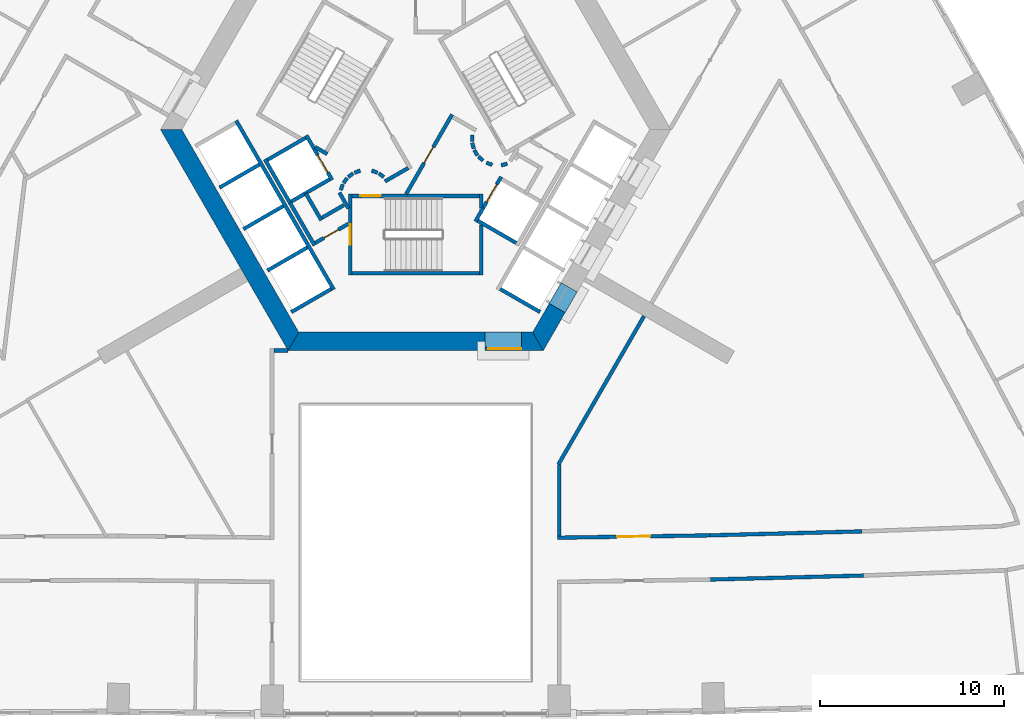
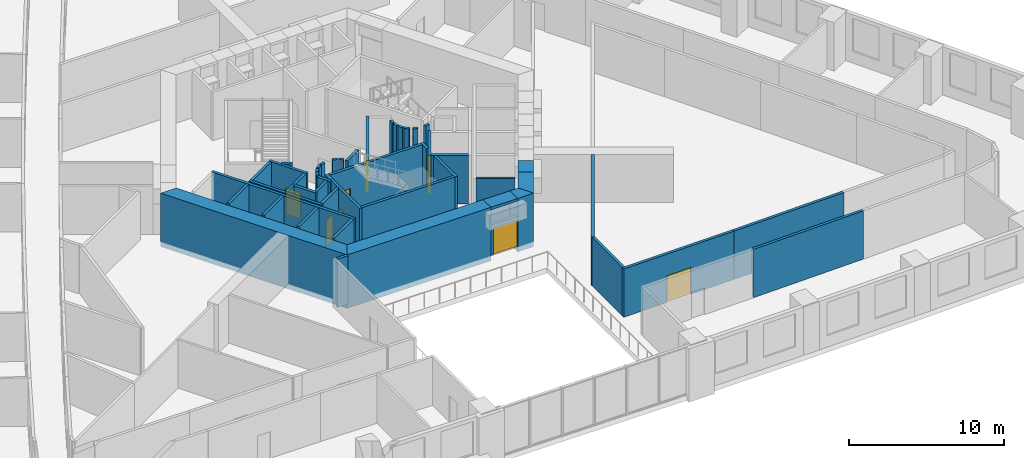
# One storey, part 6 of 16: 50 walls, 8 doors, 8 openings.
"""IFC4 building model written with IfcOpenShell, lengths in metres."""

from ifc_helpers import new_model, si_unit, direction, frame, frame_2d, origin, place, context, subcontext, project, spatial, polyline, rectangle, outline, extrude, material, layer, layer_set, type_object, element, fill, save


model = new_model("IFC4")

# Units and contexts
model_context = context("Model", 3, precision=1e-05, world=origin(), true_north=direction((0.0, 1.0)))
body_context = subcontext(model_context, "Body", "Model", "MODEL_VIEW")
ifc_project = project(units=[si_unit("LENGTHUNIT", "METRE"), si_unit("AREAUNIT", "SQUARE_METRE"), si_unit("VOLUMEUNIT", "CUBIC_METRE"), si_unit("PLANEANGLEUNIT", "RADIAN"), si_unit("MASSUNIT", "GRAM", prefix="KILO")], contexts=[model_context])

# Site, building, storey
site_placement = place(None, origin())
site = spatial("IfcSite", under=ifc_project, at=site_placement, CompositionType="ELEMENT")
building_placement = place(site_placement, origin())
building = spatial("IfcBuilding", under=site, at=building_placement, Name="Entoto Arch Interchange Tower", CompositionType="ELEMENT")
storey_placement = place(building_placement, frame((0.0, 0.0, 68.60009765625)))
storey = spatial("IfcBuildingStorey", under=building, at=storey_placement, Name="L14", CompositionType="ELEMENT", Elevation=68.60009765625)

# Wall, opening, door
ifc_material_1 = material(Name="Reinforced concrete C40/50", Category="concrete")
ifc_layer_1 = layer(ifc_material_1, 0.199951171875)
ifc_layer_set_1 = layer_set([ifc_layer_1], Name="Reinforced concrete C40/50")
wall_type_1 = type_object("IfcWallType", Name="CORE GAP INFILL WALL", PredefinedType="PARTITIONING", material=ifc_layer_set_1)
wall_1_placement = place(storey_placement, frame((3.75, -9.39990234375, 0.0), z_axis=(0.0, 0.0, 1.0), x_axis=(1.0, 0.0, 0.0)))
wall_1 = element("IfcWall", 1, at=wall_1_placement, inside=storey, type_object=wall_type_1, Name="wall:L14:gap1", PredefinedType="PARTITIONING", context=body_context, shape_type="SweptSolid", body=[
    extrude(rectangle(XDim=2.0, YDim=0.199951171875, at=frame_2d((1.0, 0.0))), origin(), (0.0, 0.0, 1.0), 2.39990234375),
])
opening_1_placement = place(wall_1_placement, frame((0.18994140625, 0.0, 0.0)))
opening_1 = element("IfcOpeningElement", 2, at=opening_1_placement, cuts=wall_1, Name="Opening L14-D91", PredefinedType="OPENING", context=body_context, shape_type="SweptSolid", body=[
    extrude(rectangle(XDim=1.800048828125, YDim=2.10009765625, at=frame_2d((0.89990234375, 1.050048828125))), frame((0.0, 0.10986328125, 0.0), z_axis=(0.0, -1.0, 0.0), x_axis=(1.0, 0.0, 0.0)), (0.0, 0.0, 1.0), 0.219970703125),
])
ifc_material_2 = material(Name="Fire-rated Steel S235 door and frame", Category="steel")
door_type_1 = type_object("IfcDoorType", Name="DOOR FD-18 1800x2100", OperationType="DOUBLE_DOOR_SINGLE_SWING", PredefinedType="DOOR", material=ifc_material_2)
door_1_placement = place(opening_1_placement, origin())
door_1 = element("IfcDoor", 3, at=door_1_placement, inside=storey, type_object=door_type_1, Name="door:L14:gap1", OperationType="DOUBLE_DOOR_SINGLE_SWING", OverallHeight=2.10009765625, OverallWidth=1.800048828125, PredefinedType="DOOR", context=body_context, shape_type="SweptSolid", body=[
    extrude(rectangle(XDim=1.800048828125, YDim=2.10009765625, at=frame_2d((0.89990234375, 1.050048828125))), frame((0.0, 0.02490234375, 0.0), z_axis=(0.0, -1.0, 0.0), x_axis=(1.0, 0.0, 0.0)), (0.0, 0.0, 1.0), 0.050048828125),
])
fill(opening_1, door_1)

# Walls
ifc_material_3 = material(Name="Concrete C60/75", Category="concrete")
ifc_layer_2 = layer(ifc_material_3, 1.0)
ifc_layer_set_2 = layer_set([ifc_layer_2], Name="Concrete C60/75")
wall_type_2 = type_object("IfcWallType", Name="Core wall 1000 C60/75", PredefinedType="SHEAR", material=ifc_layer_set_2)
wall_2_placement = place(storey_placement, frame((0.0, 0.0, -0.400146484375)))
element("IfcWall", 4, at=wall_2_placement, inside=storey, type_object=wall_type_2, Name="Core wall SW L14", PredefinedType="SHEAR", context=body_context, shape_type="SweptSolid", body=[
    extrude(outline(polyline([(-13.85595703125, 2.5), (-6.927978515625, -9.5), (-6.35107421875, -8.5), (-12.701904296875, 2.5), (-13.85595703125, 2.5)])), origin(), (0.0, 0.0, 1.0), 4.199951171875),
])
wall_3_placement = place(storey_placement, frame((0.0, 0.0, -0.400146484375)))
element("IfcWall", 5, at=wall_3_placement, inside=storey, type_object=wall_type_2, Name="Core wall S L14", PredefinedType="SHEAR", context=body_context, shape_type="SweptSolid", body=[
    extrude(outline(polyline([(3.75, -9.5), (3.75, -8.5), (-6.35107421875, -8.5), (-6.927978515625, -9.5), (3.75, -9.5)])), origin(), (0.0, 0.0, 1.0), 4.199951171875),
])
wall_4_placement = place(storey_placement, frame((0.0, 0.0, -0.400146484375)))
element("IfcWall", 6, at=wall_4_placement, inside=storey, type_object=wall_type_2, Name="Core wall S L14", PredefinedType="SHEAR", context=body_context, shape_type="SweptSolid", body=[
    extrude(outline(polyline([(5.75, -8.5), (5.75, -9.5), (6.927978515625, -9.5), (6.35107421875, -8.5), (5.75, -8.5)])), origin(), (0.0, 0.0, 1.0), 4.199951171875),
])
wall_5_placement = place(storey_placement, frame((0.0, 0.0, 3.599853515625)))
element("IfcWall", 7, at=wall_5_placement, inside=storey, type_object=wall_type_2, Name="Core wall lintel S L14", PredefinedType="SHEAR", context=body_context, shape_type="SweptSolid", body=[
    extrude(outline(polyline([(5.75, -9.5), (5.75, -8.5), (3.75, -8.5), (3.75, -9.5), (5.75, -9.5)])), origin(), (0.0, 0.0, 1.0), 0.199951171875),
])
wall_6_placement = place(storey_placement, frame((0.0, 0.0, -0.400146484375)))
element("IfcWall", 8, at=wall_6_placement, inside=storey, type_object=wall_type_2, Name="Core wall SE L14", PredefinedType="SHEAR", context=body_context, shape_type="SweptSolid", body=[
    extrude(outline(polyline([(8.116943359375, -7.43994140625), (7.251953125, -6.93994140625), (6.35107421875, -8.5), (6.927978515625, -9.5), (8.116943359375, -7.43994140625)])), origin(), (0.0, 0.0, 1.0), 4.199951171875),
])
wall_7_placement = place(storey_placement, frame((0.0, 0.0, 3.599853515625)))
element("IfcWall", 9, at=wall_7_placement, inside=storey, type_object=wall_type_2, Name="Core wall lintel SE L14", PredefinedType="SHEAR", context=body_context, shape_type="SweptSolid", body=[
    extrude(outline(polyline([(8.76708984375, -6.31396484375), (7.902099609375, -5.81396484375), (7.251953125, -6.93994140625), (8.116943359375, -7.43994140625), (8.76708984375, -6.31396484375)])), origin(), (0.0, 0.0, 1.0), 0.199951171875),
])

# Wall, opening, door
ifc_material_4 = material(Name="Concrete C40/50", Category="concrete")
ifc_layer_3 = layer(ifc_material_4, 0.199951171875)
ifc_layer_set_3 = layer_set([ifc_layer_3], Name="Concrete C40/50")
wall_type_3 = type_object("IfcWallType", Name="LIFT SHAFT WALL 200", PredefinedType="STANDARD", material=ifc_layer_set_3)
wall_8_placement = place(storey_placement, frame((-5.93994140625, 2.18798828125, 0.0), z_axis=(0.0, 0.0, 1.0), x_axis=(0.49994636267, -0.866056369097, 0.0)))
wall_8 = element("IfcWall", 10, at=wall_8_placement, inside=storey, type_object=wall_type_3, Name="Shaft wall SW1 front", PredefinedType="STANDARD", context=body_context, shape_type="SweptSolid", body=[
    extrude(rectangle(XDim=2.800048828125, YDim=0.199951171875, at=frame_2d((1.39990234375, 0.0))), origin(), (0.0, 0.0, 1.0), 3.7998046875),
])
opening_2_placement = place(wall_8_placement, frame((1.22509765625, 0.0, 0.0)))
opening_2 = element("IfcOpeningElement", 11, at=opening_2_placement, cuts=wall_8, Name="Opening LD-FF2-L14", PredefinedType="OPENING", context=body_context, shape_type="SweptSolid", body=[
    extrude(rectangle(XDim=1.10009765625, YDim=2.10009765625, at=frame_2d((0.550048828125, 1.050048828125))), frame((0.0, 0.10986328125, 0.0), z_axis=(0.0, -1.0, 0.0), x_axis=(1.0, 0.0, 0.0)), (0.0, 0.0, 1.0), 0.219970703125),
])
ifc_material_5 = material(Name="Stainless steel 1.4301 panels", Category="steel")
door_type_2 = type_object("IfcDoorType", Name="LIFT LANDING DOOR LD1 1100x2100", OperationType="SLIDING_TO_LEFT", PredefinedType="DOOR", material=ifc_material_5)
door_2_placement = place(opening_2_placement, origin())
door_2 = element("IfcDoor", 12, at=door_2_placement, inside=storey, type_object=door_type_2, Name="Lift landing door FF2 L14", OperationType="SLIDING_TO_LEFT", OverallHeight=2.10009765625, OverallWidth=1.10009765625, PredefinedType="DOOR", context=body_context, shape_type="SweptSolid", body=[
    extrude(rectangle(XDim=1.10009765625, YDim=2.10009765625, at=frame_2d((0.550048828125, 1.050048828125))), frame((0.0, 0.02490234375, 0.0), z_axis=(0.0, -1.0, 0.0), x_axis=(1.0, 0.0, 0.0)), (0.0, 0.0, 1.0), 0.050048828125),
])
fill(opening_2, door_2)

# Walls
wall_9_placement = place(storey_placement, frame((-8.19189453125, 0.887939453125, 0.0), z_axis=(0.0, 0.0, 1.0), x_axis=(0.49994636267, -0.866056369097, 0.0)))
element("IfcWall", 13, at=wall_9_placement, inside=storey, type_object=wall_type_3, Name="Shaft wall SW1 back", PredefinedType="STANDARD", context=body_context, shape_type="SweptSolid", body=[
    extrude(rectangle(XDim=2.800048828125, YDim=0.199951171875, at=frame_2d((1.39990234375, 0.0))), origin(), (0.0, 0.0, 1.0), 3.7998046875),
])
for number, where, z_axis, x_axis, name in (
    (14, (-5.97705078125, 2.052001953125, 0.0), (0.0, 0.0, 1.0), (-0.865973769406, -0.500089422704, 0.0), "Shaft wall SW1 cross 1"),
    (15, (-4.677001953125, -0.199951171875, 0.0), (0.0, 0.0, 1.0), (-0.865973769406, -0.500089422704, 0.0), "Shaft wall SW1 cross 2"),
):
    element("IfcWall", number, at=place(storey_placement, frame(where, z_axis=z_axis, x_axis=x_axis)), inside=storey, type_object=wall_type_3, Name=name, PredefinedType="STANDARD", context=body_context, shape_type="SweptSolid", body=[
        extrude(rectangle(XDim=2.3994140625, YDim=0.199951171875, at=frame_2d((1.19970703125, 0.0))), origin(), (0.0, 0.0, 1.0), 3.7998046875),
    ])
wall_10_placement = place(storey_placement, frame((-9.7509765625, 2.989990234375, 0.0), z_axis=(0.0, 0.0, 1.0), x_axis=(0.50000090737, -0.866024879913, 0.0)))
element("IfcWall", 16, at=wall_10_placement, inside=storey, type_object=wall_type_3, Name="Shaft wall SW3 front", PredefinedType="STANDARD", context=body_context, shape_type="SweptSolid", body=[
    extrude(rectangle(XDim=10.60009765625, YDim=0.199951171875, at=frame_2d((5.300048828125, 0.0))), origin(), (0.0, 0.0, 1.0), 3.7998046875),
])
for number, where, z_axis, x_axis, name in (
    (17, (-8.488037109375, 0.60205078125, 0.0), (0.0, 0.0, 1.0), (-0.866022959057, -0.500004234368, 0.0), "Shaft wall SW3 cross 2"),
    (18, (-7.18798828125, -1.64990234375, 0.0), (0.0, 0.0, 1.0), (-0.866022959057, -0.500004234368, 0.0), "Shaft wall SW3 cross 3"),
    (19, (-5.887939453125, -3.902099609375, 0.0), (0.0, 0.0, 1.0), (-0.866022959057, -0.500004234368, 0.0), "Shaft wall SW3 cross 4"),
    (20, (-4.587890625, -6.153076171875, 0.0), (0.0, 0.0, 1.0), (-0.866022959057, -0.500004234368, 0.0), "Shaft wall SW3 cross 5"),
):
    element("IfcWall", number, at=place(storey_placement, frame(where, z_axis=z_axis, x_axis=x_axis)), inside=storey, type_object=wall_type_3, Name=name, PredefinedType="STANDARD", context=body_context, shape_type="SweptSolid", body=[
        extrude(rectangle(XDim=2.5, YDim=0.199951171875, at=frame_2d((1.25, 0.0))), origin(), (0.0, 0.0, 1.0), 3.7998046875),
    ])

# Wall, opening, door
wall_11_placement = place(storey_placement, frame((3.239990234375, -2.488037109375, 0.0), z_axis=(0.0, 0.0, 1.0), x_axis=(0.49994636267, 0.866056369097, 0.0)))
wall_11 = element("IfcWall", 21, at=wall_11_placement, inside=storey, type_object=wall_type_3, Name="Shaft wall SE1 front", PredefinedType="STANDARD", context=body_context, shape_type="SweptSolid", body=[
    extrude(rectangle(XDim=2.800048828125, YDim=0.199951171875, at=frame_2d((1.39990234375, 0.0))), origin(), (0.0, 0.0, 1.0), 3.7998046875),
])
opening_3_placement = place(wall_11_placement, frame((1.22509765625, 0.0, 0.0)))
opening_3 = element("IfcOpeningElement", 22, at=opening_3_placement, cuts=wall_11, Name="Opening LD-FF1-L14", PredefinedType="OPENING", context=body_context, shape_type="SweptSolid", body=[
    extrude(rectangle(XDim=1.10009765625, YDim=2.10009765625, at=frame_2d((0.550048828125, 1.050048828125))), frame((0.0, 0.10986328125, 0.0), z_axis=(0.0, -1.0, 0.0), x_axis=(1.0, 0.0, 0.0)), (0.0, 0.0, 1.0), 0.219970703125),
])
door_3_placement = place(opening_3_placement, origin())
door_3 = element("IfcDoor", 23, at=door_3_placement, inside=storey, type_object=door_type_2, Name="Lift landing door FF1 L14", OperationType="SLIDING_TO_LEFT", OverallHeight=2.10009765625, OverallWidth=1.10009765625, PredefinedType="DOOR", context=body_context, shape_type="SweptSolid", body=[
    extrude(rectangle(XDim=1.10009765625, YDim=2.10009765625, at=frame_2d((0.550048828125, 1.050048828125))), frame((0.0, 0.02490234375, 0.0), z_axis=(0.0, -1.0, 0.0), x_axis=(1.0, 0.0, 0.0)), (0.0, 0.0, 1.0), 0.050048828125),
])
fill(opening_3, door_3)

# Walls
wall_12_placement = place(storey_placement, frame((3.376953125, -2.451904296875, 0.0), z_axis=(0.0, 0.0, 1.0), x_axis=(0.865955154139, -0.50012165622, 0.0)))
element("IfcWall", 24, at=wall_12_placement, inside=storey, type_object=wall_type_3, Name="Shaft wall SE1 cross 1", PredefinedType="STANDARD", context=body_context, shape_type="SweptSolid", body=[
    extrude(rectangle(XDim=2.39990234375, YDim=0.199951171875, at=frame_2d((1.199951171875, 0.0))), origin(), (0.0, 0.0, 1.0), 3.7998046875),
])
wall_13_placement = place(storey_placement, frame((4.587890625, -6.153076171875, 0.0), z_axis=(0.0, 0.0, 1.0), x_axis=(0.866022959057, -0.500004234368, 0.0)))
element("IfcWall", 25, at=wall_13_placement, inside=storey, type_object=wall_type_3, Name="Shaft wall SE3 cross 1", PredefinedType="STANDARD", context=body_context, shape_type="SweptSolid", body=[
    extrude(rectangle(XDim=2.5, YDim=0.199951171875, at=frame_2d((1.25, 0.0))), origin(), (0.0, 0.0, 1.0), 3.7998046875),
])

# Wall, opening, door
ifc_material_6 = material(Name="Gypsum board partition on steel studs", Category="steel")
ifc_layer_4 = layer(ifc_material_6, 0.199951171875)
ifc_layer_set_4 = layer_set([ifc_layer_4], Name="Gypsum board partition on steel studs")
wall_type_4 = type_object("IfcWallType", Name="PARTITION 200", PredefinedType="PARTITIONING", material=ifc_layer_set_4)
wall_14_placement = place(storey_placement, frame((7.699951171875, -19.660888671875, 0.0), z_axis=(0.0, 0.0, 1.0), x_axis=(0.999882138464, 0.015352823245, 0.0)))
wall_14 = element("IfcWall", 26, at=wall_14_placement, inside=storey, type_object=wall_type_4, Name="wall:L14:p018", PredefinedType="PARTITIONING", context=body_context, shape_type="SweptSolid", body=[
    extrude(rectangle(XDim=8.26904296875, YDim=0.199951171875, at=frame_2d((4.134521484375, 0.0))), origin(), (0.0, 0.0, 1.0), 3.7998046875),
])
opening_4_placement = place(wall_14_placement, frame((3.235107421875, 0.0, 0.0)))
opening_4 = element("IfcOpeningElement", 27, at=opening_4_placement, cuts=wall_14, Name="Opening L14-D19", PredefinedType="OPENING", context=body_context, shape_type="SweptSolid", body=[
    extrude(rectangle(XDim=1.800048828125, YDim=2.10009765625, at=frame_2d((0.89990234375, 1.050048828125))), frame((0.0, 0.10986328125, 0.0), z_axis=(0.0, -1.0, 0.0), x_axis=(1.0, 0.0, 0.0)), (0.0, 0.0, 1.0), 0.219970703125),
])
ifc_material_7 = material(Name="Timber door leaf in Steel S235 frame", Category="steel")
door_type_3 = type_object("IfcDoorType", Name="DOOR DD-18 1800x2100", OperationType="DOUBLE_DOOR_SINGLE_SWING", PredefinedType="DOOR", material=ifc_material_7)
door_4_placement = place(opening_4_placement, origin())
door_4 = element("IfcDoor", 28, at=door_4_placement, inside=storey, type_object=door_type_3, Name="door:L14:19", OperationType="DOUBLE_DOOR_SINGLE_SWING", OverallHeight=2.10009765625, OverallWidth=1.800048828125, PredefinedType="DOOR", context=body_context, shape_type="SweptSolid", body=[
    extrude(rectangle(XDim=1.800048828125, YDim=2.10009765625, at=frame_2d((0.89990234375, 1.050048828125))), frame((0.0, 0.02490234375, 0.0), z_axis=(0.0, -1.0, 0.0), x_axis=(1.0, 0.0, 0.0)), (0.0, 0.0, 1.0), 0.050048828125),
])
fill(opening_4, door_4)

# Walls
wall_15_placement = place(storey_placement, frame((15.968017578125, -19.533935546875, 0.0), z_axis=(0.0, 0.0, 1.0), x_axis=(0.999659413518, 0.026097068146, 0.0)))
element("IfcWall", 29, at=wall_15_placement, inside=storey, type_object=wall_type_4, Name="wall:L14:p019", PredefinedType="PARTITIONING", context=body_context, shape_type="SweptSolid", body=[
    extrude(rectangle(XDim=8.27001953125, YDim=0.199951171875, at=frame_2d((4.135009765625, 0.0))), origin(), (0.0, 0.0, 1.0), 3.7998046875),
])
wall_16_placement = place(storey_placement, frame((24.31005859375, -21.716064453125, 0.0), z_axis=(0.0, 0.0, 1.0), x_axis=(-0.999657616542, -0.02616581148, 0.0)))
element("IfcWall", 30, at=wall_16_placement, inside=storey, type_object=wall_type_4, Name="wall:L14:p044", PredefinedType="PARTITIONING", context=body_context, shape_type="SweptSolid", body=[
    extrude(rectangle(XDim=8.294921875, YDim=0.199951171875, at=frame_2d((4.1474609375, 0.0))), origin(), (0.0, 0.0, 1.0), 3.7998046875),
])
wall_17_placement = place(storey_placement, frame((-3.89990234375, -1.59912109375, 0.0), z_axis=(0.0, 0.0, 1.0), x_axis=(-0.865969445389, -0.500096910261, 0.0)))
element("IfcWall", 31, at=wall_17_placement, inside=storey, type_object=wall_type_4, Name="wall:L14:p092", PredefinedType="PARTITIONING", context=body_context, shape_type="SweptSolid", body=[
    extrude(rectangle(XDim=1.373291015625, YDim=0.199951171875, at=frame_2d((0.6865234375, 0.0))), origin(), (0.0, 0.0, 1.0), 3.7998046875),
])
wall_18_placement = place(storey_placement, frame((-5.1259765625, -2.422119140625, 0.0), z_axis=(0.0, 0.0, 1.0), x_axis=(-0.500062241894, 0.865989465428, 0.0)))
element("IfcWall", 32, at=wall_18_placement, inside=storey, type_object=wall_type_4, Name="wall:L14:p093", PredefinedType="PARTITIONING", context=body_context, shape_type="SweptSolid", body=[
    extrude(rectangle(XDim=1.699951171875, YDim=0.199951171875, at=frame_2d((0.85009765625, 0.0))), origin(), (0.0, 0.0, 1.0), 3.7998046875),
])

# Wall, opening, door
wall_19_placement = place(storey_placement, frame((-3.64990234375, -2.610107421875, 0.0), z_axis=(0.0, 0.0, 1.0), x_axis=(-0.866072462134, -0.499918483688, 0.0)))
wall_19 = element("IfcWall", 33, at=wall_19_placement, inside=storey, type_object=wall_type_4, Name="wall:L14:p094", PredefinedType="PARTITIONING", context=body_context, shape_type="SweptSolid", body=[
    extrude(rectangle(XDim=2.084228515625, YDim=0.199951171875, at=frame_2d((1.0419921875, 0.0))), origin(), (0.0, 0.0, 1.0), 3.7998046875),
])
opening_5_placement = place(wall_19_placement, frame((0.64208984375, 0.0, 0.0)))
opening_5 = element("IfcOpeningElement", 34, at=opening_5_placement, cuts=wall_19, Name="Opening L14-D34", PredefinedType="OPENING", context=body_context, shape_type="SweptSolid", body=[
    extrude(rectangle(XDim=0.89990234375, YDim=2.10009765625, at=frame_2d((0.449951171875, 1.050048828125))), frame((0.0, 0.10986328125, 0.0), z_axis=(0.0, -1.0, 0.0), x_axis=(1.0, 0.0, 0.0)), (0.0, 0.0, 1.0), 0.219970703125),
])
door_type_4 = type_object("IfcDoorType", Name="DOOR DS-09 900x2100", OperationType="SINGLE_SWING_LEFT", PredefinedType="DOOR", material=ifc_material_7)
door_5_placement = place(opening_5_placement, origin())
door_5 = element("IfcDoor", 35, at=door_5_placement, inside=storey, type_object=door_type_4, Name="door:L14:34", OperationType="SINGLE_SWING_LEFT", OverallHeight=2.10009765625, OverallWidth=0.89990234375, PredefinedType="DOOR", context=body_context, shape_type="SweptSolid", body=[
    extrude(rectangle(XDim=0.89990234375, YDim=2.10009765625, at=frame_2d((0.449951171875, 1.050048828125))), frame((0.0, 0.02490234375, 0.0), z_axis=(0.0, -1.0, 0.0), x_axis=(1.0, 0.0, 0.0)), (0.0, 0.0, 1.0), 0.050048828125),
])
fill(opening_5, door_5)

# Walls
wall_20_placement = place(storey_placement, frame((-5.491943359375, -3.7880859375, 0.0), z_axis=(0.0, 0.0, 1.0), x_axis=(-0.500008949224, 0.866020236886, 0.0)))
element("IfcWall", 36, at=wall_20_placement, inside=storey, type_object=wall_type_4, Name="wall:L14:p095", PredefinedType="PARTITIONING", context=body_context, shape_type="SweptSolid", body=[
    extrude(rectangle(XDim=2.68017578125, YDim=0.199951171875, at=frame_2d((1.340087890625, 0.0))), origin(), (0.0, 0.0, 1.0), 3.7998046875),
])
wall_21_placement = place(storey_placement, frame((-4.14501953125, -0.919921875, 0.0), z_axis=(0.0, 0.0, 1.0), x_axis=(0.499743786207, -0.866173278362, 0.0)))
element("IfcWall", 37, at=wall_21_placement, inside=storey, type_object=wall_type_4, Name="wall:L14:p096", PredefinedType="PARTITIONING", context=body_context, shape_type="SweptSolid", body=[
    extrude(rectangle(XDim=0.99072265625, YDim=0.199951171875, at=frame_2d((0.495361328125, 0.0))), origin(), (0.0, 0.0, 1.0), 3.7998046875),
])

# Wall, opening, door
wall_22_placement = place(storey_placement, frame((-0.52001953125, -1.0, 0.0), z_axis=(0.0, 0.0, 1.0), x_axis=(0.50011622646, 0.865958290007, 0.0)))
wall_22 = element("IfcWall", 38, at=wall_22_placement, inside=storey, type_object=wall_type_4, Name="wall:L14:p100", PredefinedType="PARTITIONING", context=body_context, shape_type="SweptSolid", body=[
    extrude(rectangle(XDim=4.990966796875, YDim=0.199951171875, at=frame_2d((2.49560546875, 0.0))), origin(), (0.0, 0.0, 1.0), 3.7998046875),
])
opening_6_placement = place(wall_22_placement, frame((1.945068359375, 0.0, 0.0)))
opening_6 = element("IfcOpeningElement", 39, at=opening_6_placement, cuts=wall_22, Name="Opening L14-D30", PredefinedType="OPENING", context=body_context, shape_type="SweptSolid", body=[
    extrude(rectangle(XDim=1.0, YDim=2.10009765625, at=frame_2d((0.5, 1.050048828125))), frame((0.0, 0.10986328125, 0.0), z_axis=(0.0, -1.0, 0.0), x_axis=(1.0, 0.0, 0.0)), (0.0, 0.0, 1.0), 0.219970703125),
])
door_type_5 = type_object("IfcDoorType", Name="DOOR FD-10 1000x2100", OperationType="SINGLE_SWING_LEFT", PredefinedType="DOOR", material=ifc_material_2)
door_6_placement = place(opening_6_placement, origin())
door_6 = element("IfcDoor", 40, at=door_6_placement, inside=storey, type_object=door_type_5, Name="door:L14:30", OperationType="SINGLE_SWING_LEFT", OverallHeight=2.10009765625, OverallWidth=1.0, PredefinedType="DOOR", context=body_context, shape_type="SweptSolid", body=[
    extrude(rectangle(XDim=1.0, YDim=2.10009765625, at=frame_2d((0.5, 1.050048828125))), frame((0.0, 0.02490234375, 0.0), z_axis=(0.0, -1.0, 0.0), x_axis=(1.0, 0.0, 0.0)), (0.0, 0.0, 1.0), 0.050048828125),
])
fill(opening_6, door_6)

# Walls
wall_23_placement = place(storey_placement, frame((3.0791015625, 2.198974609375, 0.0), z_axis=(0.0, 0.0, 1.0), x_axis=(-0.047771483479, -0.998858290933, 0.0)))
element("IfcWall", 41, at=wall_23_placement, inside=storey, type_object=wall_type_4, Name="wall:L14:p102", PredefinedType="PARTITIONING", context=body_context, shape_type="SweptSolid", body=[
    extrude(rectangle(XDim=0.33740234375, YDim=0.199951171875, at=frame_2d((0.168701171875, 0.0))), origin(), (0.0, 0.0, 1.0), 3.7998046875),
])
wall_24_placement = place(storey_placement, frame((3.070068359375, 1.785888671875, 0.0), z_axis=(0.0, 0.0, 1.0), x_axis=(0.242705583207, -0.970099994784, 0.0)))
element("IfcWall", 42, at=wall_24_placement, inside=storey, type_object=wall_type_4, Name="wall:L14:p103", PredefinedType="PARTITIONING", context=body_context, shape_type="SweptSolid", body=[
    extrude(rectangle(XDim=0.337890625, YDim=0.199951171875, at=frame_2d((0.1689453125, 0.0))), origin(), (0.0, 0.0, 1.0), 3.7998046875),
])
for number, where, z_axis, x_axis, name in (
    (43, (3.181884765625, 1.387939453125, 0.0), (0.0, 0.0, 1.0), (0.512474702713, -0.85870232274, 0.0), "wall:L14:p104"),
    (44, (3.404052734375, 1.0390625, 0.0), (0.0, 0.0, 1.0), (0.740267097712, -0.672312891476, 0.0), "wall:L14:p105"),
):
    element("IfcWall", number, at=place(storey_placement, frame(where, z_axis=z_axis, x_axis=x_axis)), inside=storey, type_object=wall_type_4, Name=name, PredefinedType="PARTITIONING", context=body_context, shape_type="SweptSolid", body=[
        extrude(rectangle(XDim=0.337646484375, YDim=0.199951171875, at=frame_2d((0.1689453125, 0.0))), origin(), (0.0, 0.0, 1.0), 3.7998046875),
    ])
wall_25_placement = place(storey_placement, frame((3.837890625, 0.701904296875, 0.0), z_axis=(0.0, 0.0, 1.0), x_axis=(0.941035081519, -0.338308993895, 0.0)))
element("IfcWall", 45, at=wall_25_placement, inside=storey, type_object=wall_type_4, Name="wall:L14:p106", PredefinedType="PARTITIONING", context=body_context, shape_type="SweptSolid", body=[
    extrude(rectangle(XDim=0.3369140625, YDim=0.199951171875, at=frame_2d((0.16845703125, 0.0))), origin(), (0.0, 0.0, 1.0), 3.7998046875),
])
wall_26_placement = place(storey_placement, frame((4.64404296875, 0.56396484375, 0.0), z_axis=(0.0, 0.0, 1.0), x_axis=(0.969929076366, 0.243387729394, 0.0)))
element("IfcWall", 46, at=wall_26_placement, inside=storey, type_object=wall_type_4, Name="wall:L14:p107", PredefinedType="PARTITIONING", context=body_context, shape_type="SweptSolid", body=[
    extrude(rectangle(XDim=0.337158203125, YDim=0.199951171875, at=frame_2d((0.16845703125, 0.0))), origin(), (0.0, 0.0, 1.0), 3.7998046875),
])
wall_27_placement = place(storey_placement, frame((-0.412109375, 0.4140625, 0.0), z_axis=(0.0, 0.0, 1.0), x_axis=(-0.866017369001, -0.500013916395, 0.0)))
element("IfcWall", 47, at=wall_27_placement, inside=storey, type_object=wall_type_4, Name="wall:L14:p109", PredefinedType="PARTITIONING", context=body_context, shape_type="SweptSolid", body=[
    extrude(rectangle(XDim=1.4501953125, YDim=0.199951171875, at=frame_2d((0.72509765625, 0.0))), origin(), (0.0, 0.0, 1.0), 3.7998046875),
])
wall_28_placement = place(storey_placement, frame((-1.73095703125, -0.076904296875, 0.0), z_axis=(0.0, 0.0, 1.0), x_axis=(-0.804311165252, 0.594208338422, 0.0)))
element("IfcWall", 48, at=wall_28_placement, inside=storey, type_object=wall_type_4, Name="wall:L14:p110", PredefinedType="PARTITIONING", context=body_context, shape_type="SweptSolid", body=[
    extrude(rectangle(XDim=0.338134765625, YDim=0.199951171875, at=frame_2d((0.1689453125, 0.0))), origin(), (0.0, 0.0, 1.0), 3.7998046875),
])
wall_29_placement = place(storey_placement, frame((-2.070068359375, 0.159912109375, 0.0), z_axis=(0.0, 0.0, 1.0), x_axis=(-0.942199461132, 0.335052496547, 0.0)))
element("IfcWall", 49, at=wall_29_placement, inside=storey, type_object=wall_type_4, Name="wall:L14:p111", PredefinedType="PARTITIONING", context=body_context, shape_type="SweptSolid", body=[
    extrude(rectangle(XDim=0.33740234375, YDim=0.199951171875, at=frame_2d((0.168701171875, 0.0))), origin(), (0.0, 0.0, 1.0), 3.7998046875),
])
wall_30_placement = place(storey_placement, frame((-3.011962890625, 0.27294921875, 0.0), z_axis=(0.0, 0.0, 1.0), x_axis=(-0.942280615813, -0.334824194261, 0.0)))
element("IfcWall", 50, at=wall_30_placement, inside=storey, type_object=wall_type_4, Name="wall:L14:p112", PredefinedType="PARTITIONING", context=body_context, shape_type="SweptSolid", body=[
    extrude(rectangle(XDim=0.337646484375, YDim=0.199951171875, at=frame_2d((0.1689453125, 0.0))), origin(), (0.0, 0.0, 1.0), 3.7998046875),
])
wall_31_placement = place(storey_placement, frame((-3.39697265625, 0.1240234375, 0.0), z_axis=(0.0, 0.0, 1.0), x_axis=(-0.804311165252, -0.594208338422, 0.0)))
element("IfcWall", 51, at=wall_31_placement, inside=storey, type_object=wall_type_4, Name="wall:L14:p113", PredefinedType="PARTITIONING", context=body_context, shape_type="SweptSolid", body=[
    extrude(rectangle(XDim=0.338134765625, YDim=0.199951171875, at=frame_2d((0.1689453125, 0.0))), origin(), (0.0, 0.0, 1.0), 3.7998046875),
])
wall_32_placement = place(storey_placement, frame((-3.722900390625, -0.131103515625, 0.0), z_axis=(0.0, 0.0, 1.0), x_axis=(-0.594675113454, -0.803966112121, 0.0)))
element("IfcWall", 52, at=wall_32_placement, inside=storey, type_object=wall_type_4, Name="wall:L14:p114", PredefinedType="PARTITIONING", context=body_context, shape_type="SweptSolid", body=[
    extrude(rectangle(XDim=0.33837890625, YDim=0.199951171875, at=frame_2d((0.169189453125, 0.0))), origin(), (0.0, 0.0, 1.0), 3.7998046875),
])
wall_33_placement = place(storey_placement, frame((-3.9599609375, -0.469970703125, 0.0), z_axis=(0.0, 0.0, 1.0), x_axis=(-0.334824194261, -0.942280615813, 0.0)))
element("IfcWall", 53, at=wall_33_placement, inside=storey, type_object=wall_type_4, Name="wall:L14:p115", PredefinedType="PARTITIONING", context=body_context, shape_type="SweptSolid", body=[
    extrude(rectangle(XDim=0.337646484375, YDim=0.199951171875, at=frame_2d((0.1689453125, 0.0))), origin(), (0.0, 0.0, 1.0), 3.7998046875),
])
wall_34_placement = place(storey_placement, frame((7.800048828125, -15.68994140625, 0.0), z_axis=(0.0, 0.0, 1.0), x_axis=(0.0, -1.0, 0.0)))
element("IfcWall", 54, at=wall_34_placement, inside=storey, type_object=wall_type_4, Name="wall:L14:p116", PredefinedType="PARTITIONING", context=body_context, shape_type="SweptSolid", body=[
    extrude(rectangle(XDim=3.8701171875, YDim=0.199951171875, at=frame_2d((1.93505859375, 0.0))), origin(), (0.0, 0.0, 1.0), 3.7998046875),
])
wall_35_placement = place(storey_placement, frame((-7.699951171875, -9.4990234375, 0.0), z_axis=(0.0, 0.0, 1.0), x_axis=(1.0, 0.0, 0.0)))
element("IfcWall", 55, at=wall_35_placement, inside=storey, type_object=wall_type_4, Name="wall:L14:p118", PredefinedType="PARTITIONING", context=body_context, shape_type="SweptSolid", body=[
    extrude(rectangle(XDim=0.77099609375, YDim=0.199951171875, at=frame_2d((0.385498046875, 0.0))), origin(), (0.0, 0.0, 1.0), 3.7998046875),
])
wall_36_placement = place(storey_placement, frame((12.40087890625, -7.6220703125, 0.0), z_axis=(0.0, 0.0, 1.0), x_axis=(-0.500029185841, -0.866008552675, 0.0)))
element("IfcWall", 56, at=wall_36_placement, inside=storey, type_object=wall_type_4, Name="wall:L14:p122", PredefinedType="PARTITIONING", context=body_context, shape_type="SweptSolid", body=[
    extrude(rectangle(XDim=9.30126953125, YDim=0.199951171875, at=frame_2d((4.650634765625, 0.0))), origin(), (0.0, 0.0, 1.0), 3.7998046875),
])

# Wall, opening, door
ifc_layer_5 = layer(ifc_material_4, 0.199951171875)
ifc_layer_set_5 = layer_set([ifc_layer_5], Name="Concrete C40/50")
wall_type_5 = type_object("IfcWallType", Name="STAIR ENCLOSURE WALL 200", PredefinedType="STANDARD", material=ifc_layer_set_5)
wall_37_placement = place(storey_placement, frame((-3.550048828125, -1.0, 0.0), z_axis=(0.0, 0.0, 1.0), x_axis=(0.0, -1.0, 0.0)))
wall_37 = element("IfcWall", 57, at=wall_37_placement, inside=storey, type_object=wall_type_5, Name="Stair wall ST-S near", PredefinedType="STANDARD", context=body_context, shape_type="SweptSolid", body=[
    extrude(rectangle(XDim=4.39990234375, YDim=0.199951171875, at=frame_2d((2.199951171875, 0.0))), origin(), (0.0, 0.0, 1.0), 3.7998046875),
])
opening_7_placement = place(wall_37_placement, frame((1.64990234375, 0.0, 0.0)))
opening_7 = element("IfcOpeningElement", 58, at=opening_7_placement, cuts=wall_37, Name="Opening SD-ST-S-L14-E", PredefinedType="OPENING", context=body_context, shape_type="SweptSolid", body=[
    extrude(rectangle(XDim=1.10009765625, YDim=2.199951171875, at=frame_2d((0.550048828125, 1.10009765625))), frame((0.0, 0.10986328125, 0.0), z_axis=(0.0, -1.0, 0.0), x_axis=(1.0, 0.0, 0.0)), (0.0, 0.0, 1.0), 0.219970703125),
])
ifc_material_8 = material(Name="Steel S235", Category="steel")
door_type_6 = type_object("IfcDoorType", Name="STAIR DOOR SD1 1100x2200", OperationType="SINGLE_SWING_LEFT", PredefinedType="DOOR", material=ifc_material_8)
door_7_placement = place(opening_7_placement, origin())
door_7 = element("IfcDoor", 59, at=door_7_placement, inside=storey, type_object=door_type_6, Name="Stair door ST-S L14 end", OperationType="SINGLE_SWING_LEFT", OverallHeight=2.199951171875, OverallWidth=1.10009765625, PredefinedType="DOOR", context=body_context, shape_type="SweptSolid", body=[
    extrude(rectangle(XDim=1.10009765625, YDim=2.199951171875, at=frame_2d((0.550048828125, 1.10009765625))), frame((0.0, 0.02490234375, 0.0), z_axis=(0.0, -1.0, 0.0), x_axis=(1.0, 0.0, 0.0)), (0.0, 0.0, 1.0), 0.050048828125),
])
fill(opening_7, door_7)

# Walls
wall_38_placement = place(storey_placement, frame((3.550048828125, -2.6669921875, 0.0), z_axis=(0.0, 0.0, 1.0), x_axis=(0.0, -1.0, 0.0)))
element("IfcWall", 60, at=wall_38_placement, inside=storey, type_object=wall_type_5, Name="Stair wall ST-S far", PredefinedType="STANDARD", context=body_context, shape_type="SweptSolid", body=[
    extrude(rectangle(XDim=2.73291015625, YDim=0.199951171875, at=frame_2d((1.366455078125, 0.0))), origin(), (0.0, 0.0, 1.0), 3.7998046875),
])
wall_39_placement = place(storey_placement, frame((3.550048828125, -1.0, 0.0), z_axis=(0.0, 0.0, 1.0), x_axis=(0.0, -1.0, 0.0)))
element("IfcWall", 61, at=wall_39_placement, inside=storey, type_object=wall_type_5, Name="Stair wall ST-S far return", PredefinedType="STANDARD", context=body_context, shape_type="SweptSolid", body=[
    extrude(rectangle(XDim=0.7509765625, YDim=0.199951171875, at=frame_2d((0.37548828125, 0.0))), origin(), (0.0, 0.0, 1.0), 3.7998046875),
])

# Wall, opening, door
wall_40_placement = place(storey_placement, frame((-3.449951171875, -1.10009765625, 0.0), z_axis=(0.0, 0.0, 1.0), x_axis=(1.0, 0.0, 0.0)))
wall_40 = element("IfcWall", 62, at=wall_40_placement, inside=storey, type_object=wall_type_5, Name="Stair wall ST-S hall", PredefinedType="STANDARD", context=body_context, shape_type="SweptSolid", body=[
    extrude(rectangle(XDim=6.89990234375, YDim=0.199951171875, at=frame_2d((3.449951171875, 0.0))), origin(), (0.0, 0.0, 1.0), 3.7998046875),
])
opening_8_placement = place(wall_40_placement, frame((0.449951171875, 0.0, 0.0)))
opening_8 = element("IfcOpeningElement", 63, at=opening_8_placement, cuts=wall_40, Name="Opening SD-ST-S-L14", PredefinedType="OPENING", context=body_context, shape_type="SweptSolid", body=[
    extrude(rectangle(XDim=1.10009765625, YDim=2.199951171875, at=frame_2d((0.550048828125, 1.10009765625))), frame((0.0, 0.10986328125, 0.0), z_axis=(0.0, -1.0, 0.0), x_axis=(1.0, 0.0, 0.0)), (0.0, 0.0, 1.0), 0.219970703125),
])
door_8_placement = place(opening_8_placement, origin())
door_8 = element("IfcDoor", 64, at=door_8_placement, inside=storey, type_object=door_type_6, Name="Stair door ST-S L14", OperationType="SINGLE_SWING_LEFT", OverallHeight=2.199951171875, OverallWidth=1.10009765625, PredefinedType="DOOR", context=body_context, shape_type="SweptSolid", body=[
    extrude(rectangle(XDim=1.10009765625, YDim=2.199951171875, at=frame_2d((0.550048828125, 1.10009765625))), frame((0.0, 0.02490234375, 0.0), z_axis=(0.0, -1.0, 0.0), x_axis=(1.0, 0.0, 0.0)), (0.0, 0.0, 1.0), 0.050048828125),
])
fill(opening_8, door_8)

# Walls
wall_41_placement = place(storey_placement, frame((-3.449951171875, -5.300048828125, 0.0), z_axis=(0.0, 0.0, 1.0), x_axis=(1.0, 0.0, 0.0)))
element("IfcWall", 65, at=wall_41_placement, inside=storey, type_object=wall_type_5, Name="Stair wall ST-S back", PredefinedType="STANDARD", context=body_context, shape_type="SweptSolid", body=[
    extrude(rectangle(XDim=6.89990234375, YDim=0.199951171875, at=frame_2d((3.449951171875, 0.0))), origin(), (0.0, 0.0, 1.0), 3.7998046875),
])
wall_42_placement = place(storey_placement, frame((-4.805908203125, 1.176025390625, 0.0), z_axis=(0.0, 0.0, 1.0), x_axis=(-0.866558586415, 0.499075361355, 0.0)))
element("IfcWall", 66, at=wall_42_placement, inside=storey, type_object=wall_type_5, Name="Stair wall ST-NW far return", PredefinedType="STANDARD", context=body_context, shape_type="SweptSolid", body=[
    extrude(rectangle(XDim=0.75146484375, YDim=0.199951171875, at=frame_2d((0.375732421875, 0.0))), origin(), (0.0, 0.0, 1.0), 3.7998046875),
])

save(model, "model.ifc")
